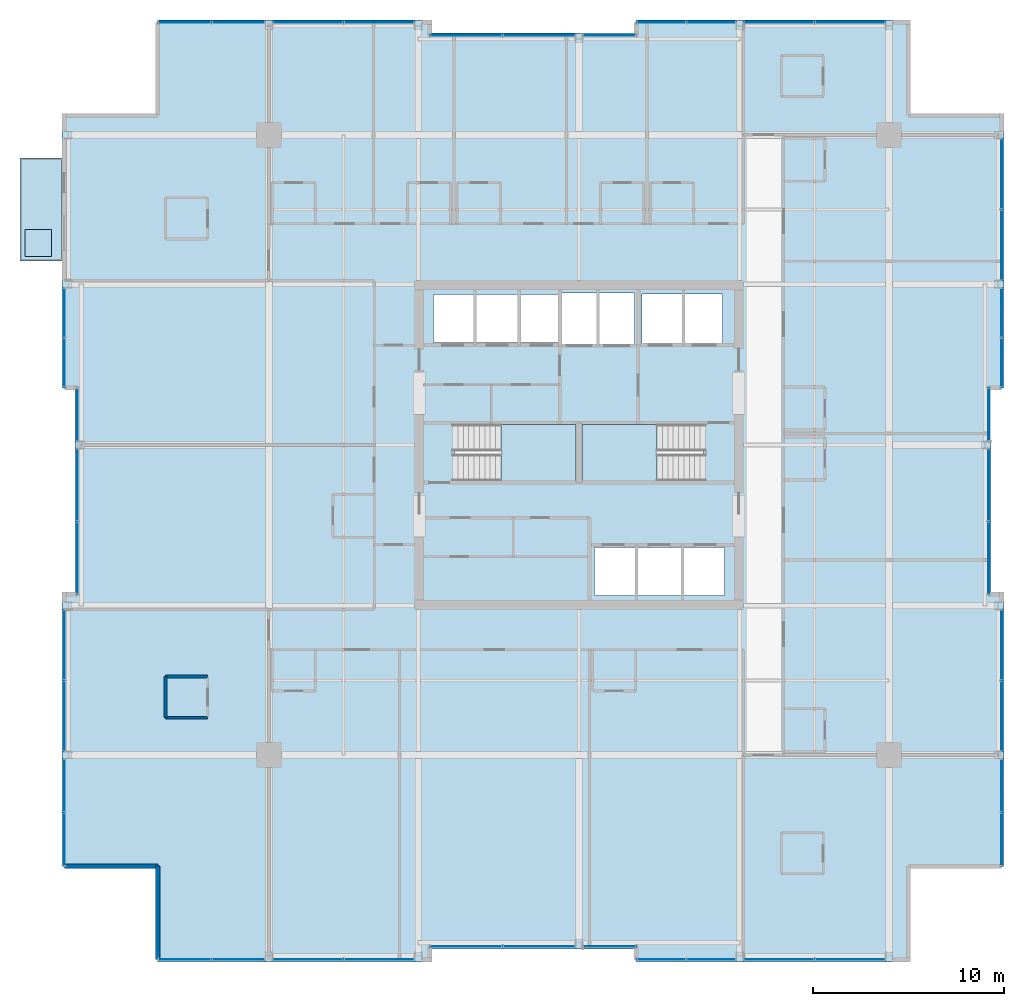
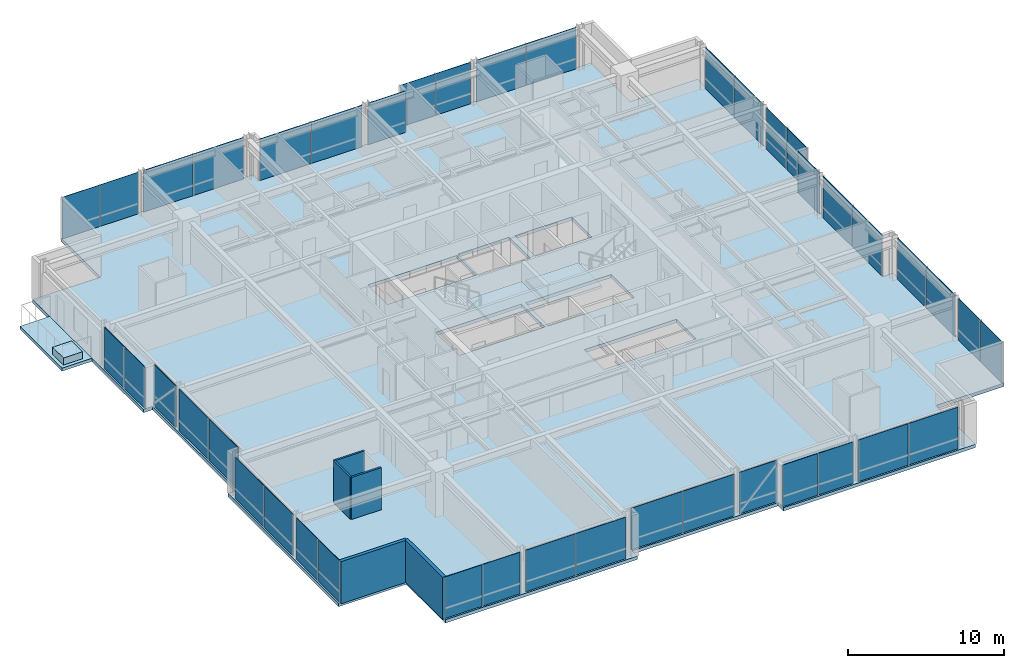
# One storey, part 24 of 32: 42 plates, 5 slabs, 5 walls, 25 elements without a shape of their own.
"""IFC4 building model written with IfcOpenShell, lengths in metres."""

from ifc_helpers import new_model, si_unit, direction, frame, frame_2d, origin, origin_2d, place, context, subcontext, project, spatial, polyline, rectangle, outline, extrude, material, layer, layer_set, type_object, element, aggregate, save


model = new_model("IFC4")

# Units and contexts
model_context = context("Model", 3, precision=1e-05, world=origin(), true_north=direction((0.0, 1.0)))
body_context = subcontext(model_context, "Body", "Model", "MODEL_VIEW")
ifc_project = project(units=[si_unit("LENGTHUNIT", "METRE"), si_unit("AREAUNIT", "SQUARE_METRE"), si_unit("VOLUMEUNIT", "CUBIC_METRE"), si_unit("PLANEANGLEUNIT", "RADIAN"), si_unit("MASSUNIT", "GRAM", prefix="KILO")], contexts=[model_context])

# Site, building, storey
site_placement = place(None, origin())
site = spatial("IfcSite", under=ifc_project, at=site_placement, CompositionType="ELEMENT")
building_placement = place(site_placement, origin())
building = spatial("IfcBuilding", under=site, at=building_placement, Name="Drelvath Grand Hotel", CompositionType="ELEMENT")
storey_placement = place(building_placement, frame((0.0, 0.0, 182.35009765625)))
storey = spatial("IfcBuildingStorey", under=building, at=storey_placement, Name="L47", CompositionType="ELEMENT", Elevation=182.35009765625)

# Slabs
ifc_material_1 = material(Name="Concrete f'c 40 MPa", Category="concrete")
ifc_layer_1 = layer(ifc_material_1, 0.239990234375)
ifc_layer_set_1 = layer_set([ifc_layer_1], Name="Concrete f'c 40 MPa")
slab_type_1 = type_object("IfcSlabType", Name="Cantilevered Tree Balcony Slab 240", PredefinedType="FLOOR", material=ifc_layer_set_1)
slab_1_placement = place(storey_placement, frame((0.0, 0.0, -0.239990234375)))
element("IfcSlab", 1, at=slab_1_placement, inside=storey, type_object=slab_type_1, Name="L47 Cantilevered Tree Balcony Slab 1", PredefinedType="FLOOR", context=body_context, shape_type="SweptSolid", body=[
    extrude(outline(polyline([(-29.199951171875, 36.60009765625), (-27.0, 36.60009765625), (-27.0, 42.0), (-29.199951171875, 42.0), (-29.199951171875, 36.60009765625)])), origin(), (0.0, 0.0, 1.0), 0.239990234375),
])
ifc_layer_2 = layer(ifc_material_1, 0.260009765625)
ifc_layer_set_2 = layer_set([ifc_layer_2], Name="Concrete f'c 40 MPa")
slab_type_2 = type_object("IfcSlabType", Name="Composite RC Floor Slab 260", PredefinedType="FLOOR", material=ifc_layer_set_2)
slab_2_placement = place(storey_placement, frame((0.0, 0.0, -0.260009765625)))
element("IfcSlab", 2, at=slab_2_placement, inside=storey, type_object=slab_type_2, Name="L47 Structural Floor Slab", PredefinedType="FLOOR", context=body_context, shape_type="SweptSolid", body=[
    extrude(outline(polyline([(-22.0, 0.0), (-7.800048828125, 0.0), (-7.800048828125, 0.679931640625), (3.0, 0.679931640625), (3.0, 0.0), (17.199951171875, 0.0), (17.199951171875, 5.0), (22.199951171875, 5.0), (22.199951171875, 19.199951171875), (21.52001953125, 19.199951171875), (21.52001953125, 30.0), (22.199951171875, 30.0), (22.199951171875, 44.199951171875), (17.199951171875, 44.199951171875), (17.199951171875, 49.199951171875), (3.0, 49.199951171875), (3.0, 48.52001953125), (-7.800048828125, 48.52001953125), (-7.800048828125, 49.199951171875), (-22.0, 49.199951171875), (-22.0, 44.199951171875), (-27.0, 44.199951171875), (-27.0, 30.0), (-26.320068359375, 30.0), (-26.320068359375, 19.199951171875), (-27.0, 19.199951171875), (-27.0, 5.0), (-22.0, 5.0), (-22.0, 0.0)]), holes=[polyline([(-6.47998046875, 25.1201171875), (-6.47998046875, 28.080078125), (-0.14990234375, 28.080078125), (-0.14990234375, 25.1201171875), (-6.47998046875, 25.1201171875)]), polyline([(0.14990234375, 25.1201171875), (0.14990234375, 28.080078125), (6.47998046875, 28.080078125), (6.47998046875, 25.1201171875), (0.14990234375, 25.1201171875)]), polyline([(0.800048828125, 19.14990234375), (0.800048828125, 21.64990234375), (7.60009765625, 21.64990234375), (7.60009765625, 19.14990234375), (0.800048828125, 19.14990234375)]), polyline([(-7.60009765625, 32.35009765625), (-7.60009765625, 34.85009765625), (-1.02001953125, 34.85009765625), (-1.02001953125, 32.35009765625), (-7.60009765625, 32.35009765625)]), polyline([(-0.89990234375, 32.25), (-0.89990234375, 34.949951171875), (2.89990234375, 34.949951171875), (2.89990234375, 32.25), (-0.89990234375, 32.25)]), polyline([(3.300048828125, 32.300048828125), (3.300048828125, 34.89990234375), (7.5, 34.89990234375), (7.5, 32.300048828125), (3.300048828125, 32.300048828125)])]), origin(), (0.0, 0.0, 1.0), 0.260009765625),
])

# Stair, slab
ifc_material_2 = material(Name="Concrete C40/50", Category="concrete")
stair_type = type_object("IfcStairType", Name="Dogleg Exit Stair W1400-R177.5", PredefinedType="HALF_TURN_STAIR", material=ifc_material_2)
stair_1_placement = place(storey_placement, origin())
stair_1 = element("IfcStair", 3, at=stair_1_placement, inside=storey, type_object=stair_type, Name="L47 Core Exit Stair ST-1", PredefinedType="HALF_TURN_STAIR")
ifc_layer_3 = layer(ifc_material_2, 0.199951171875)
ifc_layer_set_3 = layer_set([ifc_layer_3], Name="Concrete C40/50")
slab_type_3 = type_object("IfcSlabType", Name="Concrete Stair Landing Slab 200", PredefinedType="LANDING", material=ifc_layer_set_3)
slab_3_placement = place(storey_placement, frame((0.0, 0.0, 1.574951171875)))
slab_3 = element("IfcSlab", 4, at=slab_3_placement, type_object=slab_type_3, Name="ST-1 landing 1", PredefinedType="LANDING", context=body_context, shape_type="SweptSolid", body=[
    extrude(outline(polyline([(-4.080078125, 25.1201171875), (-0.14990234375, 25.1201171875), (-0.14990234375, 28.080078125), (-4.080078125, 28.080078125), (-4.080078125, 25.1201171875)])), origin(), (0.0, 0.0, 1.0), 0.199951171875),
])
aggregate(stair_1, [slab_3])

stair_2_placement = place(storey_placement, origin())
stair_2 = element("IfcStair", 5, at=stair_2_placement, inside=storey, type_object=stair_type, Name="L47 Core Exit Stair ST-2", PredefinedType="HALF_TURN_STAIR")
slab_4_placement = place(storey_placement, frame((0.0, 0.0, 1.574951171875)))
slab_4 = element("IfcSlab", 6, at=slab_4_placement, type_object=slab_type_3, Name="ST-2 landing 1", PredefinedType="LANDING", context=body_context, shape_type="SweptSolid", body=[
    extrude(outline(polyline([(4.080078125, 28.080078125), (0.14990234375, 28.080078125), (0.14990234375, 25.1201171875), (4.080078125, 25.1201171875), (4.080078125, 28.080078125)])), origin(), (0.0, 0.0, 1.0), 0.199951171875),
])
aggregate(stair_2, [slab_4])

# Curtain wall, plates
ifc_material_3 = material(Name="Brushed Pale-Silver Anodised Aluminium Frame", Category="aluminium")
ifc_layer_4 = layer(ifc_material_3, 0.199951171875)
ifc_layer_set_4 = layer_set([ifc_layer_4], Name="Brushed Pale-Silver Anodised Aluminium Frame")
curtain_wall_type = type_object("IfcCurtainWallType", Name="Stick Curtain Wall CW-04 Brushed Silver Upper-Mid", PredefinedType="NOTDEFINED", material=ifc_layer_set_4)
curtain_wall_1_placement = place(storey_placement, origin())
curtain_wall_1 = element("IfcCurtainWall", 7, at=curtain_wall_1_placement, inside=storey, type_object=curtain_wall_type, Name="L47 CW-04 Curtain Wall CW04-L47-WS1", PredefinedType="NOTDEFINED")
ifc_material_4 = material(Name="Low-E Triple Silver Vision Glass Cool", Category="glass")
ifc_layer_5 = layer(ifc_material_4, 0.035888671875)
ifc_layer_set_5 = layer_set([ifc_layer_5], Name="Low-E Triple Silver Vision Glass Cool")
plate_type = type_object("IfcPlateType", Name="Curtain Wall Vision Panel CW-04 36mm", PredefinedType="CURTAIN_PANEL", material=ifc_layer_set_5)
plate_1_placement = place(storey_placement, frame((-26.8798828125, 6.402099609375, 0.02001953125), z_axis=(0.0, 0.0, 1.0), x_axis=(0.0, 1.0, 0.0)))
plate_1 = element("IfcPlate", 8, at=plate_1_placement, type_object=plate_type, Name="CW04-L47-WS1 Glazed Panel 1", PredefinedType="CURTAIN_PANEL", context=body_context, shape_type="SweptSolid", body=[
    extrude(rectangle(XDim=2.76416015625, YDim=0.035888671875, at=origin_2d()), origin(), (0.0, 0.0, 1.0), 3.25),
])
plate_2_placement = place(storey_placement, frame((-26.8798828125, 9.206298828125, 0.02001953125), z_axis=(0.0, 0.0, 1.0), x_axis=(0.0, 1.0, 0.0)))
plate_2 = element("IfcPlate", 9, at=plate_2_placement, type_object=plate_type, Name="CW04-L47-WS1 Glazed Panel 2", PredefinedType="CURTAIN_PANEL", context=body_context, shape_type="SweptSolid", body=[
    extrude(rectangle(XDim=2.76416015625, YDim=0.035888671875, at=origin_2d()), origin(), (0.0, 0.0, 1.0), 3.25),
])
aggregate(curtain_wall_1, [plate_1, plate_2])

curtain_wall_2_placement = place(storey_placement, origin())
curtain_wall_2 = element("IfcCurtainWall", 10, at=curtain_wall_2_placement, inside=storey, type_object=curtain_wall_type, Name="L47 CW-04 Curtain Wall CW04-L47-WS2", PredefinedType="NOTDEFINED")
plate_3_placement = place(storey_placement, frame((-26.8798828125, 12.845947265625, 0.02001953125), z_axis=(0.0, 0.0, 1.0), x_axis=(0.0, 1.0, 0.0)))
plate_3 = element("IfcPlate", 11, at=plate_3_placement, type_object=plate_type, Name="CW04-L47-WS2 Glazed Panel 1", PredefinedType="CURTAIN_PANEL", context=body_context, shape_type="SweptSolid", body=[
    extrude(rectangle(XDim=3.66845703125, YDim=0.035888671875, at=origin_2d()), origin(), (0.0, 0.0, 1.0), 3.25),
])
plate_4_placement = place(storey_placement, frame((-26.8798828125, 16.55419921875, 0.02001953125), z_axis=(0.0, 0.0, 1.0), x_axis=(0.0, 1.0, 0.0)))
plate_4 = element("IfcPlate", 12, at=plate_4_placement, type_object=plate_type, Name="CW04-L47-WS2 Glazed Panel 2", PredefinedType="CURTAIN_PANEL", context=body_context, shape_type="SweptSolid", body=[
    extrude(rectangle(XDim=3.66845703125, YDim=0.035888671875, at=origin_2d()), origin(), (0.0, 0.0, 1.0), 3.25),
])
aggregate(curtain_wall_2, [plate_3, plate_4])

curtain_wall_3_placement = place(storey_placement, origin())
curtain_wall_3 = element("IfcCurtainWall", 13, at=curtain_wall_3_placement, inside=storey, type_object=curtain_wall_type, Name="L47 CW-04 Curtain Wall CW04-L47-WM1", PredefinedType="NOTDEFINED")
plate_5_placement = place(storey_placement, frame((-26.199951171875, 21.10205078125, 0.02001953125), z_axis=(0.0, 0.0, 1.0), x_axis=(0.0, 1.0, 0.0)))
plate_5 = element("IfcPlate", 14, at=plate_5_placement, type_object=plate_type, Name="CW04-L47-WM1 Glazed Panel 1", PredefinedType="CURTAIN_PANEL", context=body_context, shape_type="SweptSolid", body=[
    extrude(rectangle(XDim=3.76416015625, YDim=0.035888671875, at=origin_2d()), origin(), (0.0, 0.0, 1.0), 3.25),
])
plate_6_placement = place(storey_placement, frame((-26.199951171875, 24.90625, 0.02001953125), z_axis=(0.0, 0.0, 1.0), x_axis=(0.0, 1.0, 0.0)))
plate_6 = element("IfcPlate", 15, at=plate_6_placement, type_object=plate_type, Name="CW04-L47-WM1 Glazed Panel 2", PredefinedType="CURTAIN_PANEL", context=body_context, shape_type="SweptSolid", body=[
    extrude(rectangle(XDim=3.76416015625, YDim=0.035888671875, at=origin_2d()), origin(), (0.0, 0.0, 1.0), 3.25),
])
aggregate(curtain_wall_3, [plate_5, plate_6])

# Curtain wall, plate
curtain_wall_4_placement = place(storey_placement, origin())
curtain_wall_4 = element("IfcCurtainWall", 16, at=curtain_wall_4_placement, inside=storey, type_object=curtain_wall_type, Name="L47 CW-04 Curtain Wall CW04-L47-WM2", PredefinedType="NOTDEFINED")
plate_7_placement = place(storey_placement, frame((-26.199951171875, 28.595703125, 0.02001953125), z_axis=(0.0, 0.0, 1.0), x_axis=(0.0, 1.0, 0.0)))
plate_7 = element("IfcPlate", 17, at=plate_7_placement, type_object=plate_type, Name="CW04-L47-WM2 Glazed Panel 1", PredefinedType="CURTAIN_PANEL", context=body_context, shape_type="SweptSolid", body=[
    extrude(rectangle(XDim=2.768310546875, YDim=0.035888671875, at=origin_2d()), origin(), (0.0, 0.0, 1.0), 3.25),
])
aggregate(curtain_wall_4, [plate_7])

# Curtain wall, plates
curtain_wall_5_placement = place(storey_placement, origin())
curtain_wall_5 = element("IfcCurtainWall", 18, at=curtain_wall_5_placement, inside=storey, type_object=curtain_wall_type, Name="L47 CW-04 Curtain Wall CW04-L47-WN1", PredefinedType="NOTDEFINED")
plate_8_placement = place(storey_placement, frame((-26.8798828125, 31.302001953125, 0.02001953125), z_axis=(0.0, 0.0, 1.0), x_axis=(0.0, 1.0, 0.0)))
plate_8 = element("IfcPlate", 19, at=plate_8_placement, type_object=plate_type, Name="CW04-L47-WN1 Glazed Panel 1", PredefinedType="CURTAIN_PANEL", context=body_context, shape_type="SweptSolid", body=[
    extrude(rectangle(XDim=2.564208984375, YDim=0.035888671875, at=origin_2d()), origin(), (0.0, 0.0, 1.0), 3.25),
])
plate_9_placement = place(storey_placement, frame((-26.8798828125, 33.90625, 0.02001953125), z_axis=(0.0, 0.0, 1.0), x_axis=(0.0, 1.0, 0.0)))
plate_9 = element("IfcPlate", 20, at=plate_9_placement, type_object=plate_type, Name="CW04-L47-WN1 Glazed Panel 2", PredefinedType="CURTAIN_PANEL", context=body_context, shape_type="SweptSolid", body=[
    extrude(rectangle(XDim=2.564208984375, YDim=0.035888671875, at=origin_2d()), origin(), (0.0, 0.0, 1.0), 3.25),
])
aggregate(curtain_wall_5, [plate_8, plate_9])

curtain_wall_6_placement = place(storey_placement, origin())
curtain_wall_6 = element("IfcCurtainWall", 21, at=curtain_wall_6_placement, inside=storey, type_object=curtain_wall_type, Name="L47 CW-04 Curtain Wall CW04-L47-EN1", PredefinedType="NOTDEFINED")
plate_10_placement = place(storey_placement, frame((22.080078125, 33.90625, 0.02001953125), z_axis=(0.0, 0.0, 1.0), x_axis=(0.0, -1.0, 0.0)))
plate_10 = element("IfcPlate", 22, at=plate_10_placement, type_object=plate_type, Name="CW04-L47-EN1 Glazed Panel 1", PredefinedType="CURTAIN_PANEL", context=body_context, shape_type="SweptSolid", body=[
    extrude(rectangle(XDim=2.564208984375, YDim=0.035888671875, at=origin_2d()), origin(), (0.0, 0.0, 1.0), 3.25),
])
plate_11_placement = place(storey_placement, frame((22.080078125, 31.302001953125, 0.02001953125), z_axis=(0.0, 0.0, 1.0), x_axis=(0.0, -1.0, 0.0)))
plate_11 = element("IfcPlate", 23, at=plate_11_placement, type_object=plate_type, Name="CW04-L47-EN1 Glazed Panel 2", PredefinedType="CURTAIN_PANEL", context=body_context, shape_type="SweptSolid", body=[
    extrude(rectangle(XDim=2.564208984375, YDim=0.035888671875, at=origin_2d()), origin(), (0.0, 0.0, 1.0), 3.25),
])
aggregate(curtain_wall_6, [plate_10, plate_11])

curtain_wall_7_placement = place(storey_placement, origin())
curtain_wall_7 = element("IfcCurtainWall", 24, at=curtain_wall_7_placement, inside=storey, type_object=curtain_wall_type, Name="L47 CW-04 Curtain Wall CW04-L47-EN2", PredefinedType="NOTDEFINED")
plate_12_placement = place(storey_placement, frame((22.080078125, 41.154296875, 0.02001953125), z_axis=(0.0, 0.0, 1.0), x_axis=(0.0, -1.0, 0.0)))
plate_12 = element("IfcPlate", 25, at=plate_12_placement, type_object=plate_type, Name="CW04-L47-EN2 Glazed Panel 1", PredefinedType="CURTAIN_PANEL", context=body_context, shape_type="SweptSolid", body=[
    extrude(rectangle(XDim=3.66845703125, YDim=0.035888671875, at=origin_2d()), origin(), (0.0, 0.0, 1.0), 3.25),
])
plate_13_placement = place(storey_placement, frame((22.080078125, 37.44580078125, 0.02001953125), z_axis=(0.0, 0.0, 1.0), x_axis=(0.0, -1.0, 0.0)))
plate_13 = element("IfcPlate", 26, at=plate_13_placement, type_object=plate_type, Name="CW04-L47-EN2 Glazed Panel 2", PredefinedType="CURTAIN_PANEL", context=body_context, shape_type="SweptSolid", body=[
    extrude(rectangle(XDim=3.66845703125, YDim=0.035888671875, at=origin_2d()), origin(), (0.0, 0.0, 1.0), 3.25),
])
aggregate(curtain_wall_7, [plate_12, plate_13])

curtain_wall_8_placement = place(storey_placement, origin())
curtain_wall_8 = element("IfcCurtainWall", 27, at=curtain_wall_8_placement, inside=storey, type_object=curtain_wall_type, Name="L47 CW-04 Curtain Wall CW04-L47-EM1", PredefinedType="NOTDEFINED")
plate_14_placement = place(storey_placement, frame((21.39990234375, 24.90625, 0.02001953125), z_axis=(0.0, 0.0, 1.0), x_axis=(0.0, -1.0, 0.0)))
plate_14 = element("IfcPlate", 28, at=plate_14_placement, type_object=plate_type, Name="CW04-L47-EM1 Glazed Panel 1", PredefinedType="CURTAIN_PANEL", context=body_context, shape_type="SweptSolid", body=[
    extrude(rectangle(XDim=3.76416015625, YDim=0.035888671875, at=origin_2d()), origin(), (0.0, 0.0, 1.0), 3.25),
])
plate_15_placement = place(storey_placement, frame((21.39990234375, 21.10205078125, 0.02001953125), z_axis=(0.0, 0.0, 1.0), x_axis=(0.0, -1.0, 0.0)))
plate_15 = element("IfcPlate", 29, at=plate_15_placement, type_object=plate_type, Name="CW04-L47-EM1 Glazed Panel 2", PredefinedType="CURTAIN_PANEL", context=body_context, shape_type="SweptSolid", body=[
    extrude(rectangle(XDim=3.76416015625, YDim=0.035888671875, at=origin_2d()), origin(), (0.0, 0.0, 1.0), 3.25),
])
aggregate(curtain_wall_8, [plate_14, plate_15])

# Curtain wall, plate
curtain_wall_9_placement = place(storey_placement, origin())
curtain_wall_9 = element("IfcCurtainWall", 30, at=curtain_wall_9_placement, inside=storey, type_object=curtain_wall_type, Name="L47 CW-04 Curtain Wall CW04-L47-EM2", PredefinedType="NOTDEFINED")
plate_16_placement = place(storey_placement, frame((21.39990234375, 28.595703125, 0.02001953125), z_axis=(0.0, 0.0, 1.0), x_axis=(0.0, -1.0, 0.0)))
plate_16 = element("IfcPlate", 31, at=plate_16_placement, type_object=plate_type, Name="CW04-L47-EM2 Glazed Panel 1", PredefinedType="CURTAIN_PANEL", context=body_context, shape_type="SweptSolid", body=[
    extrude(rectangle(XDim=2.768310546875, YDim=0.035888671875, at=origin_2d()), origin(), (0.0, 0.0, 1.0), 3.25),
])
aggregate(curtain_wall_9, [plate_16])

# Curtain wall, plates
curtain_wall_10_placement = place(storey_placement, origin())
curtain_wall_10 = element("IfcCurtainWall", 32, at=curtain_wall_10_placement, inside=storey, type_object=curtain_wall_type, Name="L47 CW-04 Curtain Wall CW04-L47-ES1", PredefinedType="NOTDEFINED")
plate_17_placement = place(storey_placement, frame((22.080078125, 9.206298828125, 0.02001953125), z_axis=(0.0, 0.0, 1.0), x_axis=(0.0, -1.0, 0.0)))
plate_17 = element("IfcPlate", 33, at=plate_17_placement, type_object=plate_type, Name="CW04-L47-ES1 Glazed Panel 1", PredefinedType="CURTAIN_PANEL", context=body_context, shape_type="SweptSolid", body=[
    extrude(rectangle(XDim=2.76416015625, YDim=0.035888671875, at=origin_2d()), origin(), (0.0, 0.0, 1.0), 3.25),
])
plate_18_placement = place(storey_placement, frame((22.080078125, 6.402099609375, 0.02001953125), z_axis=(0.0, 0.0, 1.0), x_axis=(0.0, -1.0, 0.0)))
plate_18 = element("IfcPlate", 34, at=plate_18_placement, type_object=plate_type, Name="CW04-L47-ES1 Glazed Panel 2", PredefinedType="CURTAIN_PANEL", context=body_context, shape_type="SweptSolid", body=[
    extrude(rectangle(XDim=2.76416015625, YDim=0.035888671875, at=origin_2d()), origin(), (0.0, 0.0, 1.0), 3.25),
])
aggregate(curtain_wall_10, [plate_17, plate_18])

curtain_wall_11_placement = place(storey_placement, origin())
curtain_wall_11 = element("IfcCurtainWall", 35, at=curtain_wall_11_placement, inside=storey, type_object=curtain_wall_type, Name="L47 CW-04 Curtain Wall CW04-L47-ES2", PredefinedType="NOTDEFINED")
plate_19_placement = place(storey_placement, frame((22.080078125, 16.55419921875, 0.02001953125), z_axis=(0.0, 0.0, 1.0), x_axis=(0.0, -1.0, 0.0)))
plate_19 = element("IfcPlate", 36, at=plate_19_placement, type_object=plate_type, Name="CW04-L47-ES2 Glazed Panel 1", PredefinedType="CURTAIN_PANEL", context=body_context, shape_type="SweptSolid", body=[
    extrude(rectangle(XDim=3.66845703125, YDim=0.035888671875, at=origin_2d()), origin(), (0.0, 0.0, 1.0), 3.25),
])
plate_20_placement = place(storey_placement, frame((22.080078125, 12.845947265625, 0.02001953125), z_axis=(0.0, 0.0, 1.0), x_axis=(0.0, -1.0, 0.0)))
plate_20 = element("IfcPlate", 37, at=plate_20_placement, type_object=plate_type, Name="CW04-L47-ES2 Glazed Panel 2", PredefinedType="CURTAIN_PANEL", context=body_context, shape_type="SweptSolid", body=[
    extrude(rectangle(XDim=3.66845703125, YDim=0.035888671875, at=origin_2d()), origin(), (0.0, 0.0, 1.0), 3.25),
])
aggregate(curtain_wall_11, [plate_19, plate_20])

curtain_wall_12_placement = place(storey_placement, origin())
curtain_wall_12 = element("IfcCurtainWall", 38, at=curtain_wall_12_placement, inside=storey, type_object=curtain_wall_type, Name="L47 CW-04 Curtain Wall CW04-L47-NW1", PredefinedType="NOTDEFINED")
plate_21_placement = place(storey_placement, frame((-20.597900390625, 49.080078125, 0.02001953125), z_axis=(0.0, 0.0, 1.0), x_axis=(1.0, 0.0, 0.0)))
plate_21 = element("IfcPlate", 39, at=plate_21_placement, type_object=plate_type, Name="CW04-L47-NW1 Glazed Panel 1", PredefinedType="CURTAIN_PANEL", context=body_context, shape_type="SweptSolid", body=[
    extrude(rectangle(XDim=2.76416015625, YDim=0.035888671875, at=origin_2d()), origin(), (0.0, 0.0, 1.0), 3.25),
])
plate_22_placement = place(storey_placement, frame((-17.793701171875, 49.080078125, 0.02001953125), z_axis=(0.0, 0.0, 1.0), x_axis=(1.0, 0.0, 0.0)))
plate_22 = element("IfcPlate", 40, at=plate_22_placement, type_object=plate_type, Name="CW04-L47-NW1 Glazed Panel 2", PredefinedType="CURTAIN_PANEL", context=body_context, shape_type="SweptSolid", body=[
    extrude(rectangle(XDim=2.76416015625, YDim=0.035888671875, at=origin_2d()), origin(), (0.0, 0.0, 1.0), 3.25),
])
aggregate(curtain_wall_12, [plate_21, plate_22])

curtain_wall_13_placement = place(storey_placement, origin())
curtain_wall_13 = element("IfcCurtainWall", 41, at=curtain_wall_13_placement, inside=storey, type_object=curtain_wall_type, Name="L47 CW-04 Curtain Wall CW04-L47-NW2", PredefinedType="NOTDEFINED")
plate_23_placement = place(storey_placement, frame((-14.154296875, 49.080078125, 0.02001953125), z_axis=(0.0, 0.0, 1.0), x_axis=(1.0, 0.0, 0.0)))
plate_23 = element("IfcPlate", 42, at=plate_23_placement, type_object=plate_type, Name="CW04-L47-NW2 Glazed Panel 1", PredefinedType="CURTAIN_PANEL", context=body_context, shape_type="SweptSolid", body=[
    extrude(rectangle(XDim=3.66845703125, YDim=0.035888671875, at=origin_2d()), origin(), (0.0, 0.0, 1.0), 3.25),
])
plate_24_placement = place(storey_placement, frame((-10.44580078125, 49.080078125, 0.02001953125), z_axis=(0.0, 0.0, 1.0), x_axis=(1.0, 0.0, 0.0)))
plate_24 = element("IfcPlate", 43, at=plate_24_placement, type_object=plate_type, Name="CW04-L47-NW2 Glazed Panel 2", PredefinedType="CURTAIN_PANEL", context=body_context, shape_type="SweptSolid", body=[
    extrude(rectangle(XDim=3.66845703125, YDim=0.035888671875, at=origin_2d()), origin(), (0.0, 0.0, 1.0), 3.25),
])
aggregate(curtain_wall_13, [plate_23, plate_24])

curtain_wall_14_placement = place(storey_placement, origin())
curtain_wall_14 = element("IfcCurtainWall", 44, at=curtain_wall_14_placement, inside=storey, type_object=curtain_wall_type, Name="L47 CW-04 Curtain Wall CW04-L47-NM1", PredefinedType="NOTDEFINED")
plate_25_placement = place(storey_placement, frame((-5.89794921875, 48.39990234375, 0.02001953125), z_axis=(0.0, 0.0, 1.0), x_axis=(1.0, 0.0, 0.0)))
plate_25 = element("IfcPlate", 45, at=plate_25_placement, type_object=plate_type, Name="CW04-L47-NM1 Glazed Panel 1", PredefinedType="CURTAIN_PANEL", context=body_context, shape_type="SweptSolid", body=[
    extrude(rectangle(XDim=3.76416015625, YDim=0.035888671875, at=origin_2d()), origin(), (0.0, 0.0, 1.0), 3.25),
])
plate_26_placement = place(storey_placement, frame((-2.09375, 48.39990234375, 0.02001953125), z_axis=(0.0, 0.0, 1.0), x_axis=(1.0, 0.0, 0.0)))
plate_26 = element("IfcPlate", 46, at=plate_26_placement, type_object=plate_type, Name="CW04-L47-NM1 Glazed Panel 2", PredefinedType="CURTAIN_PANEL", context=body_context, shape_type="SweptSolid", body=[
    extrude(rectangle(XDim=3.76416015625, YDim=0.035888671875, at=origin_2d()), origin(), (0.0, 0.0, 1.0), 3.25),
])
aggregate(curtain_wall_14, [plate_25, plate_26])

# Curtain wall, plate
curtain_wall_15_placement = place(storey_placement, origin())
curtain_wall_15 = element("IfcCurtainWall", 47, at=curtain_wall_15_placement, inside=storey, type_object=curtain_wall_type, Name="L47 CW-04 Curtain Wall CW04-L47-NM2", PredefinedType="NOTDEFINED")
plate_27_placement = place(storey_placement, frame((1.595703125, 48.39990234375, 0.02001953125), z_axis=(0.0, 0.0, 1.0), x_axis=(1.0, 0.0, 0.0)))
plate_27 = element("IfcPlate", 48, at=plate_27_placement, type_object=plate_type, Name="CW04-L47-NM2 Glazed Panel 1", PredefinedType="CURTAIN_PANEL", context=body_context, shape_type="SweptSolid", body=[
    extrude(rectangle(XDim=2.768310546875, YDim=0.035888671875, at=origin_2d()), origin(), (0.0, 0.0, 1.0), 3.25),
])
aggregate(curtain_wall_15, [plate_27])

# Curtain wall, plates
curtain_wall_16_placement = place(storey_placement, origin())
curtain_wall_16 = element("IfcCurtainWall", 49, at=curtain_wall_16_placement, inside=storey, type_object=curtain_wall_type, Name="L47 CW-04 Curtain Wall CW04-L47-NE1", PredefinedType="NOTDEFINED")
plate_28_placement = place(storey_placement, frame((4.302001953125, 49.080078125, 0.02001953125), z_axis=(0.0, 0.0, 1.0), x_axis=(1.0, 0.0, 0.0)))
plate_28 = element("IfcPlate", 50, at=plate_28_placement, type_object=plate_type, Name="CW04-L47-NE1 Glazed Panel 1", PredefinedType="CURTAIN_PANEL", context=body_context, shape_type="SweptSolid", body=[
    extrude(rectangle(XDim=2.564208984375, YDim=0.035888671875, at=origin_2d()), origin(), (0.0, 0.0, 1.0), 3.25),
])
plate_29_placement = place(storey_placement, frame((6.90625, 49.080078125, 0.02001953125), z_axis=(0.0, 0.0, 1.0), x_axis=(1.0, 0.0, 0.0)))
plate_29 = element("IfcPlate", 51, at=plate_29_placement, type_object=plate_type, Name="CW04-L47-NE1 Glazed Panel 2", PredefinedType="CURTAIN_PANEL", context=body_context, shape_type="SweptSolid", body=[
    extrude(rectangle(XDim=2.564208984375, YDim=0.035888671875, at=origin_2d()), origin(), (0.0, 0.0, 1.0), 3.25),
])
aggregate(curtain_wall_16, [plate_28, plate_29])

curtain_wall_17_placement = place(storey_placement, origin())
curtain_wall_17 = element("IfcCurtainWall", 52, at=curtain_wall_17_placement, inside=storey, type_object=curtain_wall_type, Name="L47 CW-04 Curtain Wall CW04-L47-NE2", PredefinedType="NOTDEFINED")
plate_30_placement = place(storey_placement, frame((10.44580078125, 49.080078125, 0.02001953125), z_axis=(0.0, 0.0, 1.0), x_axis=(1.0, 0.0, 0.0)))
plate_30 = element("IfcPlate", 53, at=plate_30_placement, type_object=plate_type, Name="CW04-L47-NE2 Glazed Panel 1", PredefinedType="CURTAIN_PANEL", context=body_context, shape_type="SweptSolid", body=[
    extrude(rectangle(XDim=3.66845703125, YDim=0.035888671875, at=origin_2d()), origin(), (0.0, 0.0, 1.0), 3.25),
])
plate_31_placement = place(storey_placement, frame((14.154296875, 49.080078125, 0.02001953125), z_axis=(0.0, 0.0, 1.0), x_axis=(1.0, 0.0, 0.0)))
plate_31 = element("IfcPlate", 54, at=plate_31_placement, type_object=plate_type, Name="CW04-L47-NE2 Glazed Panel 2", PredefinedType="CURTAIN_PANEL", context=body_context, shape_type="SweptSolid", body=[
    extrude(rectangle(XDim=3.66845703125, YDim=0.035888671875, at=origin_2d()), origin(), (0.0, 0.0, 1.0), 3.25),
])
aggregate(curtain_wall_17, [plate_30, plate_31])

curtain_wall_18_placement = place(storey_placement, origin())
curtain_wall_18 = element("IfcCurtainWall", 55, at=curtain_wall_18_placement, inside=storey, type_object=curtain_wall_type, Name="L47 CW-04 Curtain Wall CW04-L47-SE1", PredefinedType="NOTDEFINED")
plate_32_placement = place(storey_placement, frame((6.90625, 0.1201171875, 0.02001953125), z_axis=(0.0, 0.0, 1.0), x_axis=(-1.0, 0.0, 0.0)))
plate_32 = element("IfcPlate", 56, at=plate_32_placement, type_object=plate_type, Name="CW04-L47-SE1 Glazed Panel 1", PredefinedType="CURTAIN_PANEL", context=body_context, shape_type="SweptSolid", body=[
    extrude(rectangle(XDim=2.564208984375, YDim=0.035888671875, at=origin_2d()), origin(), (0.0, 0.0, 1.0), 3.25),
])
plate_33_placement = place(storey_placement, frame((4.302001953125, 0.1201171875, 0.02001953125), z_axis=(0.0, 0.0, 1.0), x_axis=(-1.0, 0.0, 0.0)))
plate_33 = element("IfcPlate", 57, at=plate_33_placement, type_object=plate_type, Name="CW04-L47-SE1 Glazed Panel 2", PredefinedType="CURTAIN_PANEL", context=body_context, shape_type="SweptSolid", body=[
    extrude(rectangle(XDim=2.564208984375, YDim=0.035888671875, at=origin_2d()), origin(), (0.0, 0.0, 1.0), 3.25),
])
aggregate(curtain_wall_18, [plate_32, plate_33])

curtain_wall_19_placement = place(storey_placement, origin())
curtain_wall_19 = element("IfcCurtainWall", 58, at=curtain_wall_19_placement, inside=storey, type_object=curtain_wall_type, Name="L47 CW-04 Curtain Wall CW04-L47-SE2", PredefinedType="NOTDEFINED")
plate_34_placement = place(storey_placement, frame((14.154296875, 0.1201171875, 0.02001953125), z_axis=(0.0, 0.0, 1.0), x_axis=(-1.0, 0.0, 0.0)))
plate_34 = element("IfcPlate", 59, at=plate_34_placement, type_object=plate_type, Name="CW04-L47-SE2 Glazed Panel 1", PredefinedType="CURTAIN_PANEL", context=body_context, shape_type="SweptSolid", body=[
    extrude(rectangle(XDim=3.66845703125, YDim=0.035888671875, at=origin_2d()), origin(), (0.0, 0.0, 1.0), 3.25),
])
plate_35_placement = place(storey_placement, frame((10.44580078125, 0.1201171875, 0.02001953125), z_axis=(0.0, 0.0, 1.0), x_axis=(-1.0, 0.0, 0.0)))
plate_35 = element("IfcPlate", 60, at=plate_35_placement, type_object=plate_type, Name="CW04-L47-SE2 Glazed Panel 2", PredefinedType="CURTAIN_PANEL", context=body_context, shape_type="SweptSolid", body=[
    extrude(rectangle(XDim=3.66845703125, YDim=0.035888671875, at=origin_2d()), origin(), (0.0, 0.0, 1.0), 3.25),
])
aggregate(curtain_wall_19, [plate_34, plate_35])

curtain_wall_20_placement = place(storey_placement, origin())
curtain_wall_20 = element("IfcCurtainWall", 61, at=curtain_wall_20_placement, inside=storey, type_object=curtain_wall_type, Name="L47 CW-04 Curtain Wall CW04-L47-SM1", PredefinedType="NOTDEFINED")
plate_36_placement = place(storey_placement, frame((-2.09375, 0.800048828125, 0.02001953125), z_axis=(0.0, 0.0, 1.0), x_axis=(-1.0, 0.0, 0.0)))
plate_36 = element("IfcPlate", 62, at=plate_36_placement, type_object=plate_type, Name="CW04-L47-SM1 Glazed Panel 1", PredefinedType="CURTAIN_PANEL", context=body_context, shape_type="SweptSolid", body=[
    extrude(rectangle(XDim=3.76416015625, YDim=0.035888671875, at=origin_2d()), origin(), (0.0, 0.0, 1.0), 3.25),
])
plate_37_placement = place(storey_placement, frame((-5.89794921875, 0.800048828125, 0.02001953125), z_axis=(0.0, 0.0, 1.0), x_axis=(-1.0, 0.0, 0.0)))
plate_37 = element("IfcPlate", 63, at=plate_37_placement, type_object=plate_type, Name="CW04-L47-SM1 Glazed Panel 2", PredefinedType="CURTAIN_PANEL", context=body_context, shape_type="SweptSolid", body=[
    extrude(rectangle(XDim=3.76416015625, YDim=0.035888671875, at=origin_2d()), origin(), (0.0, 0.0, 1.0), 3.25),
])
aggregate(curtain_wall_20, [plate_36, plate_37])

# Curtain wall, plate
curtain_wall_21_placement = place(storey_placement, origin())
curtain_wall_21 = element("IfcCurtainWall", 64, at=curtain_wall_21_placement, inside=storey, type_object=curtain_wall_type, Name="L47 CW-04 Curtain Wall CW04-L47-SM2", PredefinedType="NOTDEFINED")
plate_38_placement = place(storey_placement, frame((1.595703125, 0.800048828125, 0.02001953125), z_axis=(0.0, 0.0, 1.0), x_axis=(-1.0, 0.0, 0.0)))
plate_38 = element("IfcPlate", 65, at=plate_38_placement, type_object=plate_type, Name="CW04-L47-SM2 Glazed Panel 1", PredefinedType="CURTAIN_PANEL", context=body_context, shape_type="SweptSolid", body=[
    extrude(rectangle(XDim=2.768310546875, YDim=0.035888671875, at=origin_2d()), origin(), (0.0, 0.0, 1.0), 3.25),
])
aggregate(curtain_wall_21, [plate_38])

# Curtain wall, plates
curtain_wall_22_placement = place(storey_placement, origin())
curtain_wall_22 = element("IfcCurtainWall", 66, at=curtain_wall_22_placement, inside=storey, type_object=curtain_wall_type, Name="L47 CW-04 Curtain Wall CW04-L47-SW1", PredefinedType="NOTDEFINED")
plate_39_placement = place(storey_placement, frame((-17.793701171875, 0.1201171875, 0.02001953125), z_axis=(0.0, 0.0, 1.0), x_axis=(-1.0, 0.0, 0.0)))
plate_39 = element("IfcPlate", 67, at=plate_39_placement, type_object=plate_type, Name="CW04-L47-SW1 Glazed Panel 1", PredefinedType="CURTAIN_PANEL", context=body_context, shape_type="SweptSolid", body=[
    extrude(rectangle(XDim=2.76416015625, YDim=0.035888671875, at=origin_2d()), origin(), (0.0, 0.0, 1.0), 3.25),
])
plate_40_placement = place(storey_placement, frame((-20.597900390625, 0.1201171875, 0.02001953125), z_axis=(0.0, 0.0, 1.0), x_axis=(-1.0, 0.0, 0.0)))
plate_40 = element("IfcPlate", 68, at=plate_40_placement, type_object=plate_type, Name="CW04-L47-SW1 Glazed Panel 2", PredefinedType="CURTAIN_PANEL", context=body_context, shape_type="SweptSolid", body=[
    extrude(rectangle(XDim=2.76416015625, YDim=0.035888671875, at=origin_2d()), origin(), (0.0, 0.0, 1.0), 3.25),
])
aggregate(curtain_wall_22, [plate_39, plate_40])

curtain_wall_23_placement = place(storey_placement, origin())
curtain_wall_23 = element("IfcCurtainWall", 69, at=curtain_wall_23_placement, inside=storey, type_object=curtain_wall_type, Name="L47 CW-04 Curtain Wall CW04-L47-SW2", PredefinedType="NOTDEFINED")
plate_41_placement = place(storey_placement, frame((-10.44580078125, 0.1201171875, 0.02001953125), z_axis=(0.0, 0.0, 1.0), x_axis=(-1.0, 0.0, 0.0)))
plate_41 = element("IfcPlate", 70, at=plate_41_placement, type_object=plate_type, Name="CW04-L47-SW2 Glazed Panel 1", PredefinedType="CURTAIN_PANEL", context=body_context, shape_type="SweptSolid", body=[
    extrude(rectangle(XDim=3.66845703125, YDim=0.035888671875, at=origin_2d()), origin(), (0.0, 0.0, 1.0), 3.25),
])
plate_42_placement = place(storey_placement, frame((-14.154296875, 0.1201171875, 0.02001953125), z_axis=(0.0, 0.0, 1.0), x_axis=(-1.0, 0.0, 0.0)))
plate_42 = element("IfcPlate", 71, at=plate_42_placement, type_object=plate_type, Name="CW04-L47-SW2 Glazed Panel 2", PredefinedType="CURTAIN_PANEL", context=body_context, shape_type="SweptSolid", body=[
    extrude(rectangle(XDim=3.66845703125, YDim=0.035888671875, at=origin_2d()), origin(), (0.0, 0.0, 1.0), 3.25),
])
aggregate(curtain_wall_23, [plate_41, plate_42])

# Slab
ifc_layer_6 = layer(ifc_material_1, 0.550048828125)
ifc_layer_set_6 = layer_set([ifc_layer_6], Name="Concrete f'c 40 MPa")
slab_type_4 = type_object("IfcSlabType", Name="Structural Tree Planter Box 550", PredefinedType="USERDEFINED", material=ifc_layer_set_6)
slab_5_placement = place(storey_placement, origin())
element("IfcSlab", 72, at=slab_5_placement, inside=storey, type_object=slab_type_4, Name="L47 Tree Balcony Structural Planter 1", ObjectType="PLANTER", PredefinedType="USERDEFINED", context=body_context, shape_type="SweptSolid", body=[
    extrude(outline(polyline([(-28.949951171875, 36.85009765625), (-27.550048828125, 36.85009765625), (-27.550048828125, 38.25), (-28.949951171875, 38.25), (-28.949951171875, 36.85009765625)])), origin(), (0.0, 0.0, 1.0), 0.5498046875),
])

# Walls
ifc_material_5 = material(Name="Moisture-Resistant Gypsum Board")
ifc_layer_7 = layer(ifc_material_5, 0.139892578125)
ifc_layer_set_7 = layer_set([ifc_layer_7], Name="Moisture-Resistant Gypsum Board")
wall_type_1 = type_object("IfcWallType", Name="En-Suite Plumbing Wall 140", PredefinedType="PLUMBINGWALL", material=ifc_layer_set_7)
for number, where, z_axis, x_axis, name in (
    (73, (-21.60009765625, 12.760009765625, 0.0), (0.0, 0.0, 1.0), (1.0, 0.0, 0.0), "L47 Corner En-Suite South"),
    (74, (-21.60009765625, 14.909912109375, 0.0), (0.0, 0.0, 1.0), (1.0, 0.0, 0.0), "L47 Corner En-Suite North"),
):
    element("IfcWall", number, at=place(storey_placement, frame(where, z_axis=z_axis, x_axis=x_axis)), inside=storey, type_object=wall_type_1, Name=name, PredefinedType="PLUMBINGWALL", context=body_context, shape_type="SweptSolid", body=[
        extrude(rectangle(XDim=2.2001953125, YDim=0.139892578125, at=frame_2d((1.10009765625, 0.0))), origin(), (0.0, 0.0, 1.0), 3.289794921875),
    ])
wall_placement = place(storey_placement, frame((-21.60009765625, 12.760009765625, 0.0), z_axis=(0.0, 0.0, 1.0), x_axis=(0.0, 1.0, 0.0)))
element("IfcWall", 75, at=wall_placement, inside=storey, type_object=wall_type_1, Name="L47 Corner En-Suite West", PredefinedType="PLUMBINGWALL", context=body_context, shape_type="SweptSolid", body=[
    extrude(rectangle(XDim=2.14990234375, YDim=0.139892578125, at=frame_2d((1.074951171875, 0.0))), origin(), (0.0, 0.0, 1.0), 3.289794921875),
])
ifc_material_6 = material(Name="Pale-Metal Insulated Aluminium Spandrel Assembly", Category="aluminium")
ifc_layer_8 = layer(ifc_material_6, 0.239990234375)
ifc_layer_set_8 = layer_set([ifc_layer_8], Name="Pale-Metal Insulated Aluminium Spandrel Assembly")
wall_type_2 = type_object("IfcWallType", Name="Tower Insulated Metal Spandrel Closure Wall 240", PredefinedType="STANDARD", material=ifc_layer_set_8)
for number, where, z_axis, x_axis, name in (
    (76, (-22.0, 0.1201171875, 0.0), (0.0, 0.0, 1.0), (0.0, 1.0, 0.0), "L47 Notched Corner Return Spandrel Wall CSW1"),
    (77, (-22.0, 5.0, 0.0), (0.0, 0.0, 1.0), (-1.0, 0.0, 0.0), "L47 Notched Corner Return Spandrel Wall CSW2"),
):
    element("IfcWall", number, at=place(storey_placement, frame(where, z_axis=z_axis, x_axis=x_axis)), inside=storey, type_object=wall_type_2, Name=name, PredefinedType="STANDARD", context=body_context, shape_type="SweptSolid", body=[
        extrude(rectangle(XDim=4.8798828125, YDim=0.239990234375, at=frame_2d((2.43994140625, 0.0))), origin(), (0.0, 0.0, 1.0), 3.289794921875),
    ])

save(model, "model.ifc")
